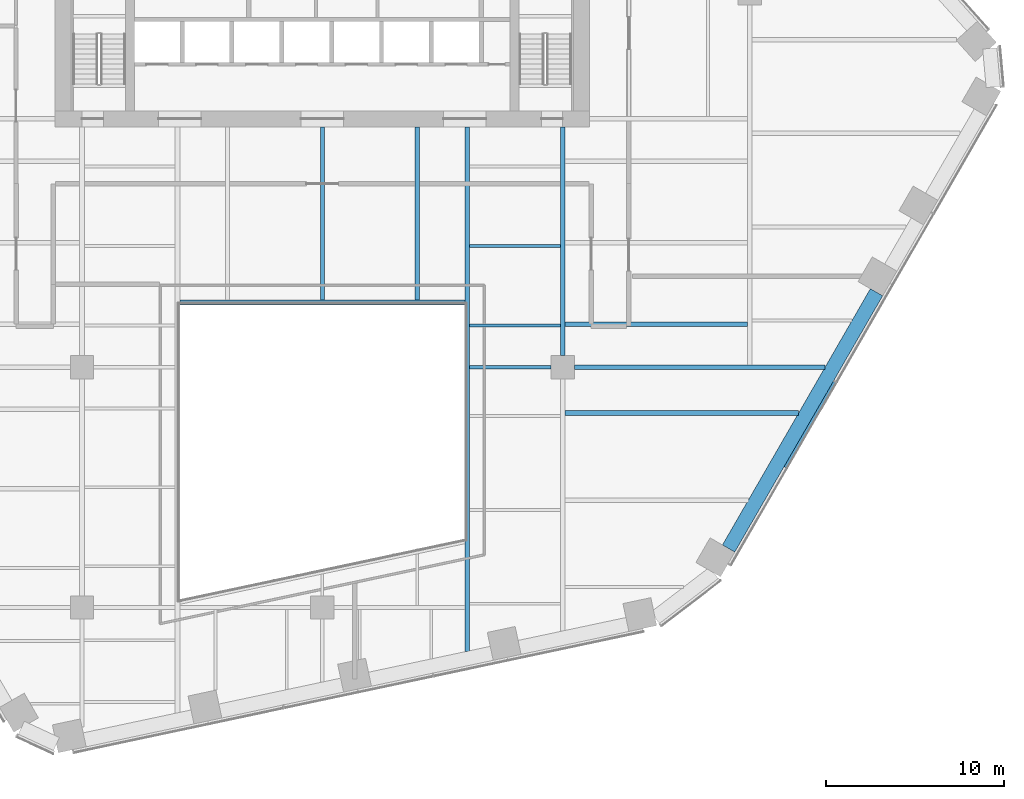
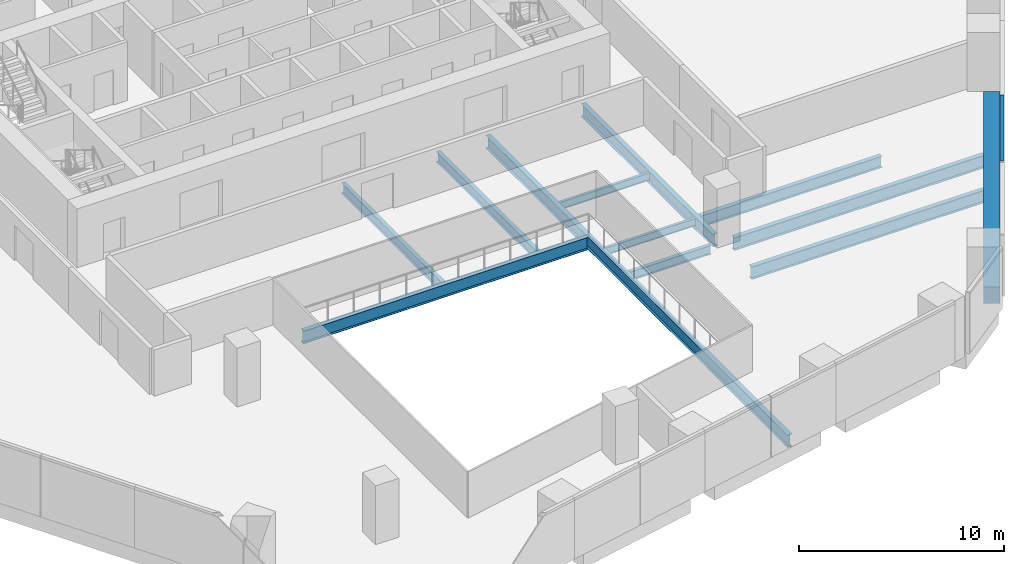
# One storey, part 6 of 19: 12 beams, 1 member, 1 element without a shape of its own.
"""IFC4 building model written with IfcOpenShell, lengths in metres."""

from ifc_helpers import new_model, si_unit, direction, frame, origin, origin_2d, place, context, subcontext, project, spatial, rectangle, i_section, extrude, material, layer, layer_set, material_profile, profile_set, type_object, element, aggregate, save


model = new_model("IFC4")

# Units and contexts
model_context = context("Model", 3, precision=1e-05, world=origin(), true_north=direction((0.0, 1.0)))
body_context = subcontext(model_context, "Body", "Model", "MODEL_VIEW")
ifc_project = project(units=[si_unit("LENGTHUNIT", "METRE"), si_unit("AREAUNIT", "SQUARE_METRE"), si_unit("VOLUMEUNIT", "CUBIC_METRE"), si_unit("PLANEANGLEUNIT", "RADIAN"), si_unit("MASSUNIT", "GRAM", prefix="KILO")], contexts=[model_context])

# Site, building, storey
site_placement = place(None, origin())
site = spatial("IfcSite", under=ifc_project, at=site_placement, CompositionType="ELEMENT")
building_placement = place(site_placement, origin())
building = spatial("IfcBuilding", under=site, at=building_placement, Name="Isthmus Gate Tower", CompositionType="ELEMENT")
storey_placement = place(building_placement, frame((0.0, 0.0, 95.25)))
storey = spatial("IfcBuildingStorey", under=building, at=storey_placement, Name="L22", CompositionType="ELEMENT", Elevation=95.25)

# Curtain wall, member
ifc_material_1 = material(Name="Aluminium, pale champagne anodised", Category="aluminium")
ifc_layer = layer(ifc_material_1, 0.199951171875)
ifc_layer_set = layer_set([ifc_layer], Name="CW-1 UNITISED CURTAIN WALL 200 DEEP")
curtain_wall_type = type_object("IfcCurtainWallType", Name="CW-1 UNITISED CURTAIN WALL 200 DEEP", PredefinedType="NOTDEFINED", material=ifc_layer_set)
curtain_wall_placement = place(storey_placement, origin())
curtain_wall = element("IfcCurtainWall", 1, at=curtain_wall_placement, inside=storey, type_object=curtain_wall_type, Name="CW-1 SE L22", PredefinedType="NOTDEFINED")
ifc_material_2 = material(Name="Aluminium, pale champagne anodised", Category="aluminium")
ifc_material_profile_1 = material_profile(ifc_material_2, rectangle(XDim=0.199951171875, YDim=0.14990234375, at=origin_2d()), Name="200x150")
ifc_profile_set_1 = profile_set([ifc_material_profile_1], Name="Aluminium, pale champagne anodised")
member_type = type_object("IfcMemberType", Name="CW-1 TRANSOM 200 X 150", PredefinedType="USERDEFINED", material=ifc_profile_set_1)
member_placement = place(storey_placement, frame((26.017822265625, -19.135986328125, 3.574951171875), z_axis=(0.499993363642, 0.866029235253, 0.0), x_axis=(-0.866029235253, 0.499993363642, 0.0)))
member = element("IfcMember", 2, at=member_placement, type_object=member_type, Name="CW-1 transom", ObjectType="TRANSOM", PredefinedType="USERDEFINED", context=body_context, shape_type="SweptSolid", body=[
    extrude(rectangle(XDim=0.199951171875, YDim=0.14990234375, at=origin_2d()), origin(), (0.0, 0.0, 1.0), 5.53857421875),
])
aggregate(curtain_wall, [member])

# Beams
ifc_material_3 = material(Name="Concrete f'c 70 MPa", Category="concrete")
ifc_material_profile_2 = material_profile(ifc_material_3, rectangle(XDim=0.800048828125, YDim=1.0, at=origin_2d()), Name="RC 800X1000")
ifc_profile_set_2 = profile_set([ifc_material_profile_2], Name="Concrete f'c 70 MPa")
beam_type_1 = type_object("IfcBeamType", Name="RC SPANDREL 800 X 1000", PredefinedType="SPANDREL", material=ifc_profile_set_2)
beam_1_placement = place(storey_placement, frame((31.123291015625, -9.292724609375, -0.5), z_axis=(-0.499999725976, -0.866025561992, 0.0), x_axis=(0.866025561992, -0.499999725976, 0.0)))
element("IfcBeam", 3, at=beam_1_placement, inside=storey, type_object=beam_type_1, Name="str-spandrel-L22-08", PredefinedType="SPANDREL", context=body_context, shape_type="SweptSolid", body=[
    extrude(rectangle(XDim=0.800048828125, YDim=1.0, at=origin_2d()), origin(), (0.0, 0.0, 1.0), 16.61572265625),
])
ifc_material_4 = material(Name="Structural steel ASTM A992 Gr 50", Category="steel")
ifc_material_profile_3 = material_profile(ifc_material_4, i_section(OverallWidth=0.15234375, OverallDepth=0.45068359375, WebThickness=0.0078125, FlangeThickness=0.010986328125, at=origin_2d()), Name="W18X35")
ifc_profile_set_3 = profile_set([ifc_material_profile_3], Name="Structural steel ASTM A992 Gr 50")
beam_type_2 = type_object("IfcBeamType", Name="STEEL FLOOR BEAM W18X35", PredefinedType="JOIST", material=ifc_profile_set_3)
for number, where, z_axis, x_axis, name in (
    (4, (8.263427734375, -11.16259765625, -0.37548828125), (1.0, 0.0, 0.0), (0.0, 1.0, 0.0), "str-beam-L22-24-00"),
    (5, (8.263427734375, -6.697509765625, -0.37548828125), (1.0, 0.0, 0.0), (0.0, 1.0, 0.0), "str-beam-L22-24-01"),
):
    element("IfcBeam", number, at=place(storey_placement, frame(where, z_axis=z_axis, x_axis=x_axis)), inside=storey, type_object=beam_type_2, Name=name, PredefinedType="JOIST", context=body_context, shape_type="SweptSolid", body=[
        extrude(i_section(OverallWidth=0.15234375, OverallDepth=0.45068359375, WebThickness=0.0078125, FlangeThickness=0.010986328125, at=origin_2d()), origin(), (0.0, 0.0, 1.0), 5.104736328125),
    ])
ifc_material_5 = material(Name="Structural steel ASTM A992 Gr 50", Category="steel")
ifc_material_profile_4 = material_profile(ifc_material_5, i_section(OverallWidth=0.228515625, OverallDepth=0.603271484375, WebThickness=0.010986328125, FlangeThickness=0.014404296875, at=origin_2d()), Name="W24X68")
ifc_profile_set_4 = profile_set([ifc_material_profile_4], Name="Structural steel ASTM A992 Gr 50")
beam_type_3 = type_object("IfcBeamType", Name="STEEL FLOOR BEAM W24X68", PredefinedType="JOIST", material=ifc_profile_set_4)
for number, where, z_axis, x_axis, name in (
    (6, (0.0, -9.7333984375, -0.45166015625), (0.0, 1.0, 0.0), (-1.0, 0.0, 0.0), "str-beam-L22-17-01"),
    (7, (5.333251953125, -9.7333984375, -0.45166015625), (0.0, 1.0, 0.0), (-1.0, 0.0, 0.0), "str-beam-L22-17-02"),
):
    element("IfcBeam", number, at=place(storey_placement, frame(where, z_axis=z_axis, x_axis=x_axis)), inside=storey, type_object=beam_type_3, Name=name, PredefinedType="JOIST", context=body_context, shape_type="SweptSolid", body=[
        extrude(i_section(OverallWidth=0.228515625, OverallDepth=0.603271484375, WebThickness=0.010986328125, FlangeThickness=0.014404296875, at=origin_2d()), origin(), (0.0, 0.0, 1.0), 9.7333984375),
    ])
ifc_material_6 = material(Name="Structural steel ASTM A992 Gr 50", Category="steel")
ifc_material_profile_5 = material_profile(ifc_material_6, i_section(OverallWidth=0.25390625, OverallDepth=0.679443359375, WebThickness=0.010986328125, FlangeThickness=0.015869140625, at=origin_2d()), Name="W27X84")
ifc_profile_set_5 = profile_set([ifc_material_profile_5], Name="Structural steel ASTM A992 Gr 50")
beam_type_4 = type_object("IfcBeamType", Name="STEEL FLOOR BEAM W27X84", PredefinedType="JOIST", material=ifc_profile_set_5)
beam_2_placement = place(storey_placement, frame((13.6318359375, -11.0830078125, -0.48974609375), z_axis=(1.0, 0.0, 0.0), x_axis=(0.0, 1.0, 0.0)))
element("IfcBeam", 8, at=beam_2_placement, inside=storey, type_object=beam_type_4, Name="str-beam-L22-27-00", PredefinedType="JOIST", context=body_context, shape_type="SweptSolid", body=[
    extrude(i_section(OverallWidth=0.25390625, OverallDepth=0.679443359375, WebThickness=0.010986328125, FlangeThickness=0.015869140625, at=origin_2d()), origin(), (0.0, 0.0, 1.0), 10.23486328125),
])
ifc_material_7 = material(Name="Structural steel ASTM A992 Gr 50", Category="steel")
ifc_material_profile_6 = material_profile(ifc_material_7, i_section(OverallWidth=0.263427734375, OverallDepth=0.749267578125, WebThickness=0.0126953125, FlangeThickness=0.015869140625, at=origin_2d()), Name="W30X90")
ifc_profile_set_6 = profile_set([ifc_material_profile_6], Name="Structural steel ASTM A992 Gr 50")
beam_type_5 = type_object("IfcBeamType", Name="STEEL FLOOR BEAM W30X90", PredefinedType="JOIST", material=ifc_profile_set_6)
beam_3_placement = place(storey_placement, frame((13.63330078125, -16.0751953125, -0.524658203125), z_axis=(1.0, 0.0, 0.0), x_axis=(0.0, 1.0, 0.0)))
element("IfcBeam", 9, at=beam_3_placement, inside=storey, type_object=beam_type_5, Name="str-beam-L22-28-02", PredefinedType="JOIST", context=body_context, shape_type="SweptSolid", body=[
    extrude(i_section(OverallWidth=0.263427734375, OverallDepth=0.749267578125, WebThickness=0.0126953125, FlangeThickness=0.015869140625, at=origin_2d()), origin(), (0.0, 0.0, 1.0), 13.1123046875),
])
ifc_material_8 = material(Name="Structural steel ASTM A992 Gr 50", Category="steel")
ifc_material_profile_7 = material_profile(ifc_material_8, i_section(OverallWidth=0.20947265625, OverallDepth=0.533447265625, WebThickness=0.009521484375, FlangeThickness=0.015869140625, at=origin_2d()), Name="W21X62")
ifc_profile_set_7 = profile_set([ifc_material_profile_7], Name="Structural steel ASTM A992 Gr 50")
beam_type_6 = type_object("IfcBeamType", Name="STEEL GIRDER W21X62", PredefinedType="BEAM", material=ifc_profile_set_7)
beam_4_placement = place(storey_placement, frame((8.263427734375, -13.5, -0.416748046875), z_axis=(1.0, 0.0, 0.0), x_axis=(0.0, 1.0, 0.0)))
element("IfcBeam", 10, at=beam_4_placement, inside=storey, type_object=beam_type_6, Name="str-girder-L22-07", PredefinedType="BEAM", context=body_context, shape_type="SweptSolid", body=[
    extrude(i_section(OverallWidth=0.20947265625, OverallDepth=0.533447265625, WebThickness=0.009521484375, FlangeThickness=0.015869140625, at=origin_2d()), origin(), (0.0, 0.0, 1.0), 4.586669921875),
])
ifc_material_9 = material(Name="Structural steel ASTM A992 Gr 50", Category="steel")
ifc_material_profile_8 = material_profile(ifc_material_9, i_section(OverallWidth=0.2666015625, OverallDepth=0.7587890625, WebThickness=0.014404296875, FlangeThickness=0.01904296875, at=origin_2d()), Name="W30X108")
ifc_profile_set_8 = profile_set([ifc_material_profile_8], Name="Structural steel ASTM A992 Gr 50")
beam_type_7 = type_object("IfcBeamType", Name="STEEL GIRDER W30X108", PredefinedType="BEAM", material=ifc_profile_set_8)
beam_5_placement = place(storey_placement, frame((14.14990234375, -13.5, -0.529296875), z_axis=(1.0, 0.0, 0.0), x_axis=(0.0, 1.0, 0.0)))
element("IfcBeam", 11, at=beam_5_placement, inside=storey, type_object=beam_type_7, Name="str-girder-L22-08", PredefinedType="BEAM", context=body_context, shape_type="SweptSolid", body=[
    extrude(i_section(OverallWidth=0.2666015625, OverallDepth=0.7587890625, WebThickness=0.014404296875, FlangeThickness=0.01904296875, at=origin_2d()), origin(), (0.0, 0.0, 1.0), 14.08251953125),
])
ifc_material_10 = material(Name="Structural steel ASTM A992 Gr 50", Category="steel")
ifc_material_profile_9 = material_profile(ifc_material_10, i_section(OverallWidth=0.263427734375, OverallDepth=0.749267578125, WebThickness=0.0126953125, FlangeThickness=0.015869140625, at=origin_2d()), Name="W30X90")
ifc_profile_set_9 = profile_set([ifc_material_profile_9], Name="Structural steel ASTM A992 Gr 50")
beam_type_8 = type_object("IfcBeamType", Name="STEEL GIRDER W30X90", PredefinedType="BEAM", material=ifc_profile_set_9)
beam_6_placement = place(storey_placement, frame((13.5, -12.85009765625, -0.524658203125), z_axis=(0.0, 1.0, 0.0), x_axis=(-1.0, 0.0, 0.0)))
element("IfcBeam", 12, at=beam_6_placement, inside=storey, type_object=beam_type_8, Name="str-girder-L22-33", PredefinedType="BEAM", context=body_context, shape_type="SweptSolid", body=[
    extrude(i_section(OverallWidth=0.263427734375, OverallDepth=0.749267578125, WebThickness=0.0126953125, FlangeThickness=0.015869140625, at=origin_2d()), origin(), (0.0, 0.0, 1.0), 12.85009765625),
])
ifc_material_11 = material(Name="Structural steel ASTM A992 Gr 50", Category="steel")
ifc_material_profile_10 = material_profile(ifc_material_11, i_section(OverallWidth=0.2666015625, OverallDepth=0.7587890625, WebThickness=0.014404296875, FlangeThickness=0.01904296875, at=origin_2d()), Name="W30X108")
ifc_profile_set_10 = profile_set([ifc_material_profile_10], Name="Structural steel ASTM A992 Gr 50")
beam_type_9 = type_object("IfcBeamType", Name="STEEL TRIMMER W30X108", PredefinedType="BEAM", material=ifc_profile_set_10)
beam_7_placement = place(storey_placement, frame((8.0, -9.86669921875, -0.529296875), z_axis=(-1.0, 0.0, 0.0), x_axis=(0.0, -1.0, 0.0)))
element("IfcBeam", 13, at=beam_7_placement, inside=storey, type_object=beam_type_9, Name="str-trimmer-L22-04", PredefinedType="BEAM", context=body_context, shape_type="SweptSolid", body=[
    extrude(i_section(OverallWidth=0.2666015625, OverallDepth=0.7587890625, WebThickness=0.014404296875, FlangeThickness=0.01904296875, at=origin_2d()), origin(), (0.0, 0.0, 1.0), 16.0),
])
ifc_material_12 = material(Name="Structural steel ASTM A992 Gr 50", Category="steel")
ifc_material_profile_11 = material_profile(ifc_material_12, i_section(OverallWidth=0.263427734375, OverallDepth=0.749267578125, WebThickness=0.0126953125, FlangeThickness=0.015869140625, at=origin_2d()), Name="W30X90")
ifc_profile_set_11 = profile_set([ifc_material_profile_11], Name="Structural steel ASTM A992 Gr 50")
beam_type_10 = type_object("IfcBeamType", Name="STEEL TRIMMER W30X90", PredefinedType="BEAM", material=ifc_profile_set_11)
beam_8_placement = place(storey_placement, frame((8.1318359375, -29.45361328125, -0.524658203125), z_axis=(0.0, 1.0, 0.0), x_axis=(-1.0, 0.0, 0.0)))
element("IfcBeam", 14, at=beam_8_placement, inside=storey, type_object=beam_type_10, Name="str-trimmer-L22-01", PredefinedType="BEAM", context=body_context, shape_type="SweptSolid", body=[
    extrude(i_section(OverallWidth=0.263427734375, OverallDepth=0.749267578125, WebThickness=0.0126953125, FlangeThickness=0.015869140625, at=origin_2d()), origin(), (0.0, 0.0, 1.0), 29.45361328125),
])

save(model, "model.ifc")
